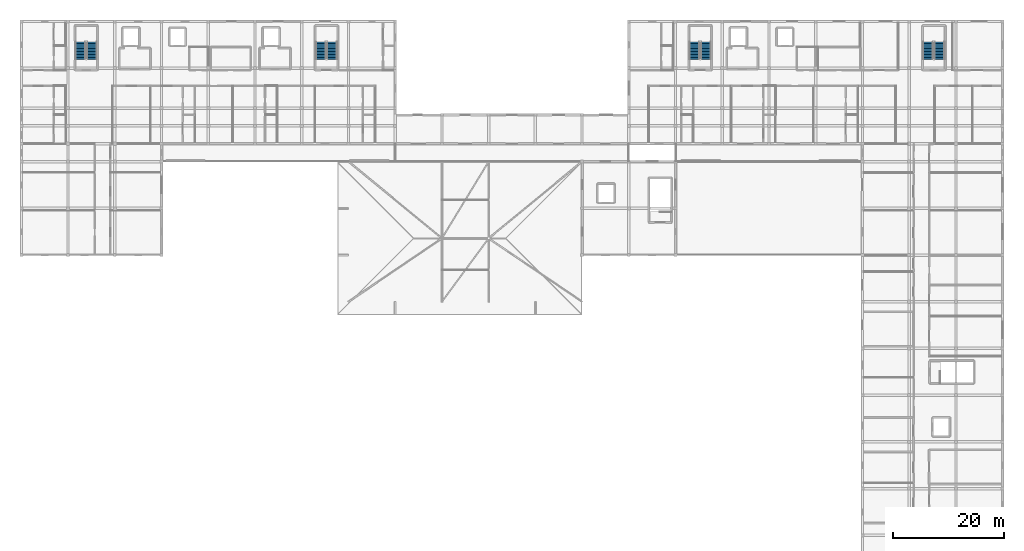
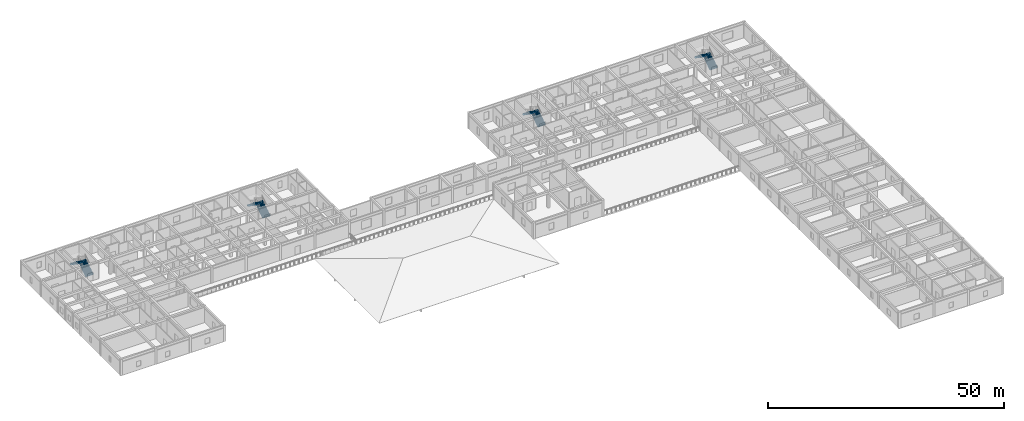
# One storey, part 21 of 28: 8 stair flights, 4 elements without a shape of their own.
"""IFC4 building model written with IfcOpenShell, lengths in metres."""

from ifc_helpers import new_model, si_unit, direction, frame, origin, place, context, subcontext, project, spatial, polyline, outline, extrude, material, type_object, element, aggregate, save


model = new_model("IFC4")

# Units and contexts
model_context = context("Model", 3, precision=1e-05, world=origin(), true_north=direction((0.0, 1.0)))
body_context = subcontext(model_context, "Body", "Model", "MODEL_VIEW")
ifc_project = project(units=[si_unit("LENGTHUNIT", "METRE"), si_unit("AREAUNIT", "SQUARE_METRE"), si_unit("VOLUMEUNIT", "CUBIC_METRE"), si_unit("PLANEANGLEUNIT", "RADIAN"), si_unit("MASSUNIT", "GRAM", prefix="KILO")], contexts=[model_context])

# Site, building, storey
site_placement = place(None, origin())
site = spatial("IfcSite", under=ifc_project, at=site_placement, CompositionType="ELEMENT")
building_placement = place(site_placement, origin())
building = spatial("IfcBuilding", under=site, at=building_placement, Name="Varncliffe General Hospital", CompositionType="ELEMENT")
storey_placement = place(building_placement, frame((0.0, 0.0, 24.60009765625)))
storey = spatial("IfcBuildingStorey", under=building, at=storey_placement, Name="L05", CompositionType="ELEMENT", Elevation=24.60009765625)

# Stair, stair flights
ifc_material = material(Name="Concrete C35/45 (CSA A23.1 35 MPa)", Category="concrete")
stair_type = type_object("IfcStairType", Name="Hospital Stair Assembly ST-T03 (1850w-4200h)", PredefinedType="TWO_STRAIGHT_RUN_STAIR", material=ifc_material)
stair_1_placement = place(storey_placement, origin())
stair_1 = element("IfcStair", 1, at=stair_1_placement, inside=storey, type_object=stair_type, Name="L05 North-West Ward Exit Stair 1", PredefinedType="TWO_STRAIGHT_RUN_STAIR")
stair_flight_type = type_object("IfcStairFlightType", Name="Hospital Stair Flight FL-T03 (1850w-4200h)", PredefinedType="STRAIGHT", material=ifc_material)
stair_flight_1_placement = place(storey_placement, frame((12.675048828125, 118.0, 0.0), z_axis=(0.0, 0.0, 1.0), x_axis=(0.0, 1.0, 0.0)))
stair_flight_1 = element("IfcStairFlight", 2, at=stair_flight_1_placement, type_object=stair_flight_type, Name="ST01 flight 1", NumberOfRisers=12, NumberOfTreads=11, PredefinedType="STRAIGHT", RiserHeight=0.175, TreadLength=0.28, context=body_context, shape_type="SweptSolid", body=[
    extrude(outline(polyline([(-0.02490234375, -0.14990234375), (-0.02490234375, 0.0), (0.0, 0.0), (0.0, 0.175048828125), (0.280029296875, 0.175048828125), (0.280029296875, 0.35009765625), (0.56005859375, 0.35009765625), (0.56005859375, 0.52490234375), (0.840087890625, 0.52490234375), (0.840087890625, 0.699951171875), (1.1201171875, 0.699951171875), (1.1201171875, 0.875), (1.39990234375, 0.875), (1.39990234375, 1.050048828125), (1.679931640625, 1.050048828125), (1.679931640625, 1.22509765625), (1.9599609375, 1.22509765625), (1.9599609375, 1.39990234375), (2.239990234375, 1.39990234375), (2.239990234375, 1.574951171875), (2.52001953125, 1.574951171875), (2.52001953125, 1.75), (2.800048828125, 1.75), (2.800048828125, 1.925048828125), (3.080078125, 1.925048828125), (3.080078125, 2.10009765625), (3.10498046875, 2.10009765625), (3.10498046875, 1.9501953125), (3.080078125, 1.748291015625), (0.28271484375, -0.14990234375), (-0.02490234375, -0.14990234375)])), frame((0.0, 0.925048828125, 0.0), z_axis=(0.0, -1.0, 0.0), x_axis=(1.0, 0.0, 0.0)), (0.0, 0.0, 1.0), 1.85009765625),
])
stair_flight_2_placement = place(storey_placement, frame((10.625, 121.080078125, 2.099853515625), z_axis=(0.0, 0.0, 1.0), x_axis=(0.0, -1.0, 0.0)))
stair_flight_2 = element("IfcStairFlight", 3, at=stair_flight_2_placement, type_object=stair_flight_type, Name="ST01 flight 2", NumberOfRisers=12, NumberOfTreads=11, PredefinedType="STRAIGHT", RiserHeight=0.175, TreadLength=0.28, context=body_context, shape_type="SweptSolid", body=[
    extrude(outline(polyline([(-0.02490234375, -0.14990234375), (-0.02490234375, 0.0), (0.0, 0.0), (0.0, 0.175048828125), (0.280029296875, 0.175048828125), (0.280029296875, 0.35009765625), (0.56005859375, 0.35009765625), (0.56005859375, 0.52490234375), (0.840087890625, 0.52490234375), (0.840087890625, 0.699951171875), (1.1201171875, 0.699951171875), (1.1201171875, 0.875), (1.39990234375, 0.875), (1.39990234375, 1.050048828125), (1.679931640625, 1.050048828125), (1.679931640625, 1.22509765625), (1.9599609375, 1.22509765625), (1.9599609375, 1.39990234375), (2.239990234375, 1.39990234375), (2.239990234375, 1.574951171875), (2.52001953125, 1.574951171875), (2.52001953125, 1.75), (2.800048828125, 1.75), (2.800048828125, 1.925048828125), (3.080078125, 1.925048828125), (3.080078125, 2.10009765625), (3.10498046875, 2.10009765625), (3.10498046875, 1.9501953125), (3.080078125, 1.748291015625), (0.28271484375, -0.14990234375), (-0.02490234375, -0.14990234375)])), frame((0.0, 0.925048828125, 0.0), z_axis=(0.0, -1.0, 0.0), x_axis=(1.0, 0.0, 0.0)), (0.0, 0.0, 1.0), 1.85009765625),
])
aggregate(stair_1, [stair_flight_1, stair_flight_2])

stair_2_placement = place(storey_placement, origin())
stair_2 = element("IfcStair", 4, at=stair_2_placement, inside=storey, type_object=stair_type, Name="L05 North-West Ward Exit Stair 2", PredefinedType="TWO_STRAIGHT_RUN_STAIR")
stair_flight_3_placement = place(storey_placement, frame((55.875, 118.0, 0.0), z_axis=(0.0, 0.0, 1.0), x_axis=(0.0, 1.0, 0.0)))
stair_flight_3 = element("IfcStairFlight", 5, at=stair_flight_3_placement, type_object=stair_flight_type, Name="ST02 flight 1", NumberOfRisers=12, NumberOfTreads=11, PredefinedType="STRAIGHT", RiserHeight=0.175, TreadLength=0.28, context=body_context, shape_type="SweptSolid", body=[
    extrude(outline(polyline([(-0.02490234375, -0.14990234375), (-0.02490234375, 0.0), (0.0, 0.0), (0.0, 0.175048828125), (0.280029296875, 0.175048828125), (0.280029296875, 0.35009765625), (0.56005859375, 0.35009765625), (0.56005859375, 0.52490234375), (0.840087890625, 0.52490234375), (0.840087890625, 0.699951171875), (1.1201171875, 0.699951171875), (1.1201171875, 0.875), (1.39990234375, 0.875), (1.39990234375, 1.050048828125), (1.679931640625, 1.050048828125), (1.679931640625, 1.22509765625), (1.9599609375, 1.22509765625), (1.9599609375, 1.39990234375), (2.239990234375, 1.39990234375), (2.239990234375, 1.574951171875), (2.52001953125, 1.574951171875), (2.52001953125, 1.75), (2.800048828125, 1.75), (2.800048828125, 1.925048828125), (3.080078125, 1.925048828125), (3.080078125, 2.10009765625), (3.10498046875, 2.10009765625), (3.10498046875, 1.9501953125), (3.080078125, 1.748291015625), (0.28271484375, -0.14990234375), (-0.02490234375, -0.14990234375)])), frame((0.0, 0.925048828125, 0.0), z_axis=(0.0, -1.0, 0.0), x_axis=(1.0, 0.0, 0.0)), (0.0, 0.0, 1.0), 1.85009765625),
])
stair_flight_4_placement = place(storey_placement, frame((53.824951171875, 121.080078125, 2.099853515625), z_axis=(0.0, 0.0, 1.0), x_axis=(0.0, -1.0, 0.0)))
stair_flight_4 = element("IfcStairFlight", 6, at=stair_flight_4_placement, type_object=stair_flight_type, Name="ST02 flight 2", NumberOfRisers=12, NumberOfTreads=11, PredefinedType="STRAIGHT", RiserHeight=0.175, TreadLength=0.28, context=body_context, shape_type="SweptSolid", body=[
    extrude(outline(polyline([(-0.02490234375, -0.14990234375), (-0.02490234375, 0.0), (0.0, 0.0), (0.0, 0.175048828125), (0.280029296875, 0.175048828125), (0.280029296875, 0.35009765625), (0.56005859375, 0.35009765625), (0.56005859375, 0.52490234375), (0.840087890625, 0.52490234375), (0.840087890625, 0.699951171875), (1.1201171875, 0.699951171875), (1.1201171875, 0.875), (1.39990234375, 0.875), (1.39990234375, 1.050048828125), (1.679931640625, 1.050048828125), (1.679931640625, 1.22509765625), (1.9599609375, 1.22509765625), (1.9599609375, 1.39990234375), (2.239990234375, 1.39990234375), (2.239990234375, 1.574951171875), (2.52001953125, 1.574951171875), (2.52001953125, 1.75), (2.800048828125, 1.75), (2.800048828125, 1.925048828125), (3.080078125, 1.925048828125), (3.080078125, 2.10009765625), (3.10498046875, 2.10009765625), (3.10498046875, 1.9501953125), (3.080078125, 1.748291015625), (0.28271484375, -0.14990234375), (-0.02490234375, -0.14990234375)])), frame((0.0, 0.925048828125, 0.0), z_axis=(0.0, -1.0, 0.0), x_axis=(1.0, 0.0, 0.0)), (0.0, 0.0, 1.0), 1.85009765625),
])
aggregate(stair_2, [stair_flight_3, stair_flight_4])

stair_3_placement = place(storey_placement, origin())
stair_3 = element("IfcStair", 7, at=stair_3_placement, inside=storey, type_object=stair_type, Name="L05 North-East Ward Exit Stair 3", PredefinedType="TWO_STRAIGHT_RUN_STAIR")
stair_flight_5_placement = place(storey_placement, frame((123.074951171875, 118.0, 0.0), z_axis=(0.0, 0.0, 1.0), x_axis=(0.0, 1.0, 0.0)))
stair_flight_5 = element("IfcStairFlight", 8, at=stair_flight_5_placement, type_object=stair_flight_type, Name="ST03 flight 1", NumberOfRisers=12, NumberOfTreads=11, PredefinedType="STRAIGHT", RiserHeight=0.175, TreadLength=0.28, context=body_context, shape_type="SweptSolid", body=[
    extrude(outline(polyline([(-0.02490234375, -0.14990234375), (-0.02490234375, 0.0), (0.0, 0.0), (0.0, 0.175048828125), (0.280029296875, 0.175048828125), (0.280029296875, 0.35009765625), (0.56005859375, 0.35009765625), (0.56005859375, 0.52490234375), (0.840087890625, 0.52490234375), (0.840087890625, 0.699951171875), (1.1201171875, 0.699951171875), (1.1201171875, 0.875), (1.39990234375, 0.875), (1.39990234375, 1.050048828125), (1.679931640625, 1.050048828125), (1.679931640625, 1.22509765625), (1.9599609375, 1.22509765625), (1.9599609375, 1.39990234375), (2.239990234375, 1.39990234375), (2.239990234375, 1.574951171875), (2.52001953125, 1.574951171875), (2.52001953125, 1.75), (2.800048828125, 1.75), (2.800048828125, 1.925048828125), (3.080078125, 1.925048828125), (3.080078125, 2.10009765625), (3.10498046875, 2.10009765625), (3.10498046875, 1.9501953125), (3.080078125, 1.748291015625), (0.28271484375, -0.14990234375), (-0.02490234375, -0.14990234375)])), frame((0.0, 0.925048828125, 0.0), z_axis=(0.0, -1.0, 0.0), x_axis=(1.0, 0.0, 0.0)), (0.0, 0.0, 1.0), 1.85009765625),
])
stair_flight_6_placement = place(storey_placement, frame((121.02490234375, 121.080078125, 2.099853515625), z_axis=(0.0, 0.0, 1.0), x_axis=(0.0, -1.0, 0.0)))
stair_flight_6 = element("IfcStairFlight", 9, at=stair_flight_6_placement, type_object=stair_flight_type, Name="ST03 flight 2", NumberOfRisers=12, NumberOfTreads=11, PredefinedType="STRAIGHT", RiserHeight=0.175, TreadLength=0.28, context=body_context, shape_type="SweptSolid", body=[
    extrude(outline(polyline([(-0.02490234375, -0.14990234375), (-0.02490234375, 0.0), (0.0, 0.0), (0.0, 0.175048828125), (0.280029296875, 0.175048828125), (0.280029296875, 0.35009765625), (0.56005859375, 0.35009765625), (0.56005859375, 0.52490234375), (0.840087890625, 0.52490234375), (0.840087890625, 0.699951171875), (1.1201171875, 0.699951171875), (1.1201171875, 0.875), (1.39990234375, 0.875), (1.39990234375, 1.050048828125), (1.679931640625, 1.050048828125), (1.679931640625, 1.22509765625), (1.9599609375, 1.22509765625), (1.9599609375, 1.39990234375), (2.239990234375, 1.39990234375), (2.239990234375, 1.574951171875), (2.52001953125, 1.574951171875), (2.52001953125, 1.75), (2.800048828125, 1.75), (2.800048828125, 1.925048828125), (3.080078125, 1.925048828125), (3.080078125, 2.10009765625), (3.10498046875, 2.10009765625), (3.10498046875, 1.9501953125), (3.080078125, 1.748291015625), (0.28271484375, -0.14990234375), (-0.02490234375, -0.14990234375)])), frame((0.0, 0.925048828125, 0.0), z_axis=(0.0, -1.0, 0.0), x_axis=(1.0, 0.0, 0.0)), (0.0, 0.0, 1.0), 1.85009765625),
])
aggregate(stair_3, [stair_flight_5, stair_flight_6])

stair_4_placement = place(storey_placement, origin())
stair_4 = element("IfcStair", 10, at=stair_4_placement, inside=storey, type_object=stair_type, Name="L05 North-East Ward Exit Stair 4", PredefinedType="TWO_STRAIGHT_RUN_STAIR")
stair_flight_7_placement = place(storey_placement, frame((165.074951171875, 118.0, 0.0), z_axis=(0.0, 0.0, 1.0), x_axis=(0.0, 1.0, 0.0)))
stair_flight_7 = element("IfcStairFlight", 11, at=stair_flight_7_placement, type_object=stair_flight_type, Name="ST04 flight 1", NumberOfRisers=12, NumberOfTreads=11, PredefinedType="STRAIGHT", RiserHeight=0.175, TreadLength=0.28, context=body_context, shape_type="SweptSolid", body=[
    extrude(outline(polyline([(-0.02490234375, -0.14990234375), (-0.02490234375, 0.0), (0.0, 0.0), (0.0, 0.175048828125), (0.280029296875, 0.175048828125), (0.280029296875, 0.35009765625), (0.56005859375, 0.35009765625), (0.56005859375, 0.52490234375), (0.840087890625, 0.52490234375), (0.840087890625, 0.699951171875), (1.1201171875, 0.699951171875), (1.1201171875, 0.875), (1.39990234375, 0.875), (1.39990234375, 1.050048828125), (1.679931640625, 1.050048828125), (1.679931640625, 1.22509765625), (1.9599609375, 1.22509765625), (1.9599609375, 1.39990234375), (2.239990234375, 1.39990234375), (2.239990234375, 1.574951171875), (2.52001953125, 1.574951171875), (2.52001953125, 1.75), (2.800048828125, 1.75), (2.800048828125, 1.925048828125), (3.080078125, 1.925048828125), (3.080078125, 2.10009765625), (3.10498046875, 2.10009765625), (3.10498046875, 1.9501953125), (3.080078125, 1.748291015625), (0.28271484375, -0.14990234375), (-0.02490234375, -0.14990234375)])), frame((0.0, 0.925048828125, 0.0), z_axis=(0.0, -1.0, 0.0), x_axis=(1.0, 0.0, 0.0)), (0.0, 0.0, 1.0), 1.85009765625),
])
stair_flight_8_placement = place(storey_placement, frame((163.02490234375, 121.080078125, 2.099853515625), z_axis=(0.0, 0.0, 1.0), x_axis=(0.0, -1.0, 0.0)))
stair_flight_8 = element("IfcStairFlight", 12, at=stair_flight_8_placement, type_object=stair_flight_type, Name="ST04 flight 2", NumberOfRisers=12, NumberOfTreads=11, PredefinedType="STRAIGHT", RiserHeight=0.175, TreadLength=0.28, context=body_context, shape_type="SweptSolid", body=[
    extrude(outline(polyline([(-0.02490234375, -0.14990234375), (-0.02490234375, 0.0), (0.0, 0.0), (0.0, 0.175048828125), (0.280029296875, 0.175048828125), (0.280029296875, 0.35009765625), (0.56005859375, 0.35009765625), (0.56005859375, 0.52490234375), (0.840087890625, 0.52490234375), (0.840087890625, 0.699951171875), (1.1201171875, 0.699951171875), (1.1201171875, 0.875), (1.39990234375, 0.875), (1.39990234375, 1.050048828125), (1.679931640625, 1.050048828125), (1.679931640625, 1.22509765625), (1.9599609375, 1.22509765625), (1.9599609375, 1.39990234375), (2.239990234375, 1.39990234375), (2.239990234375, 1.574951171875), (2.52001953125, 1.574951171875), (2.52001953125, 1.75), (2.800048828125, 1.75), (2.800048828125, 1.925048828125), (3.080078125, 1.925048828125), (3.080078125, 2.10009765625), (3.10498046875, 2.10009765625), (3.10498046875, 1.9501953125), (3.080078125, 1.748291015625), (0.28271484375, -0.14990234375), (-0.02490234375, -0.14990234375)])), frame((0.0, 0.925048828125, 0.0), z_axis=(0.0, -1.0, 0.0), x_axis=(1.0, 0.0, 0.0)), (0.0, 0.0, 1.0), 1.85009765625),
])
aggregate(stair_4, [stair_flight_7, stair_flight_8])

save(model, "model.ifc")
